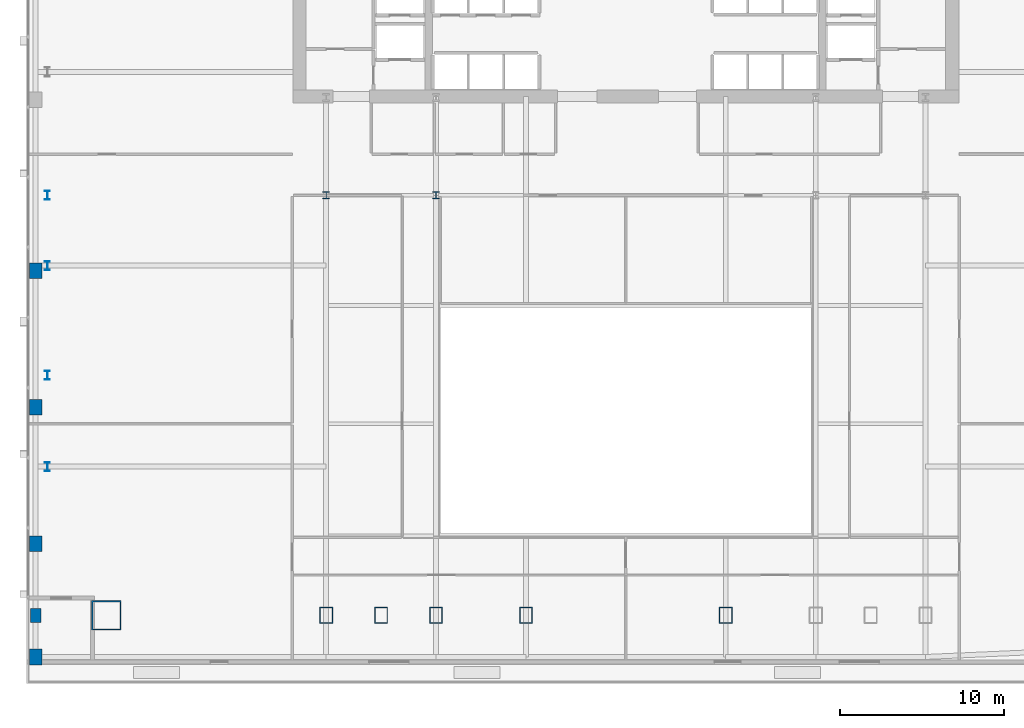
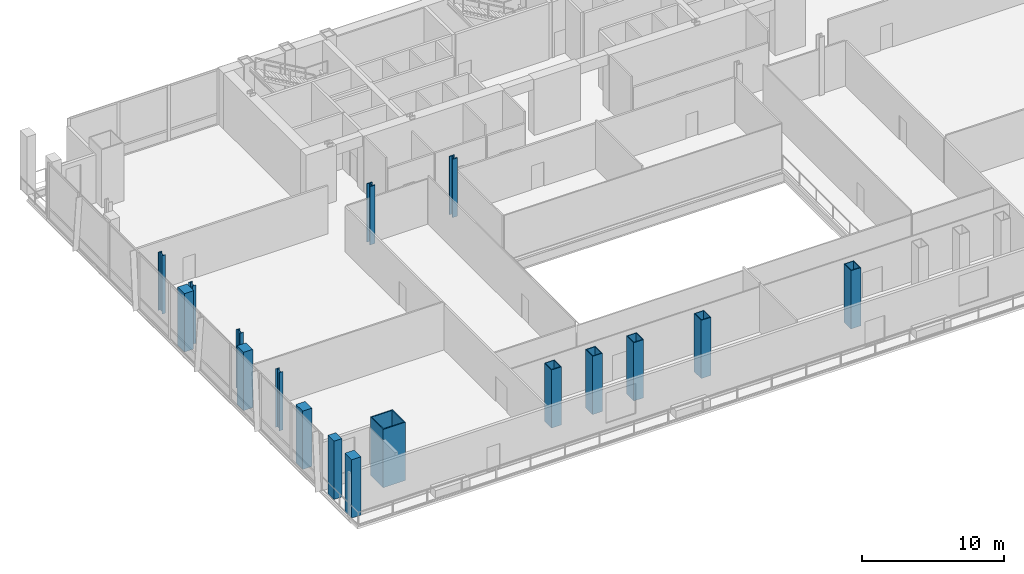
# One storey, part 1 of 25: 17 columns.
"""IFC4 building model written with IfcOpenShell, lengths in metres."""

from ifc_helpers import new_model, si_unit, direction, frame, origin, origin_2d, place, context, subcontext, project, spatial, rectangle, hollow_rectangle, i_section, extrude, material, material_profile, profile_set, type_object, element, save


model = new_model("IFC4")

# Units and contexts
model_context = context("Model", 3, precision=1e-05, world=origin(), true_north=direction((0.0, 1.0)))
body_context = subcontext(model_context, "Body", "Model", "MODEL_VIEW")
ifc_project = project(units=[si_unit("LENGTHUNIT", "METRE"), si_unit("AREAUNIT", "SQUARE_METRE"), si_unit("VOLUMEUNIT", "CUBIC_METRE"), si_unit("PLANEANGLEUNIT", "RADIAN"), si_unit("MASSUNIT", "GRAM", prefix="KILO")], contexts=[model_context])

# Site, building, storey
site_placement = place(None, origin())
site = spatial("IfcSite", under=ifc_project, at=site_placement, CompositionType="ELEMENT")
building_placement = place(site_placement, origin())
building = spatial("IfcBuilding", under=site, at=building_placement, Name="Khoronbel Lancet Exchange", CompositionType="ELEMENT")
storey_placement = place(building_placement, frame((0.0, 0.0, 15.39990234375)))
storey = spatial("IfcBuildingStorey", under=building, at=storey_placement, Name="L03", CompositionType="ELEMENT", Elevation=15.39990234375)

# Columns
ifc_material_1 = material(Name="Steel S460", Category="steel")
ifc_material_profile_1 = material_profile(ifc_material_1, hollow_rectangle(XDim=0.800048828125, YDim=1.0, WallThickness=0.054931640625, at=origin_2d()), Name="BOX 1000x800x55")
ifc_profile_set_1 = profile_set([ifc_material_profile_1], Name="Steel S460")
column_type_1 = type_object("IfcColumnType", Name="COL-EC1", PredefinedType="COLUMN", material=ifc_profile_set_1)
for number, where, z_axis, x_axis, name in (
    (1, (18.22509765625, 10.14990234375, 0.0), (0.0, 0.0, 1.0), (1.0, 0.0, 0.0), "Structural column SC-W1 L03"),
    (2, (21.5625, 10.14990234375, 0.0), (0.0, 0.0, 1.0), (1.0, 0.0, 0.0), "Structural column SC-WM L03"),
    (3, (24.89990234375, 10.14990234375, 0.0), (0.0, 0.0, 1.0), (1.0, 0.0, 0.0), "Structural column SC-W2 L03"),
    (4, (30.375, 10.14990234375, 0.0), (0.0, 0.0, 1.0), (1.0, 0.0, 0.0), "Structural column SC-C1 L03"),
    (5, (42.52490234375, 10.14990234375, 0.0), (0.0, 0.0, 1.0), (1.0, 0.0, 0.0), "Structural column SC-C2 L03"),
):
    element("IfcColumn", number, at=place(storey_placement, frame(where, z_axis=z_axis, x_axis=x_axis)), inside=storey, type_object=column_type_1, Name=name, PredefinedType="COLUMN", context=body_context, shape_type="SweptSolid", body=[
        extrude(hollow_rectangle(XDim=0.800048828125, YDim=1.0, WallThickness=0.054931640625, at=origin_2d()), origin(), (0.0, 0.0, 1.0), 5.0),
    ])
ifc_material_profile_2 = material_profile(ifc_material_1, i_section(OverallWidth=0.424072265625, OverallDepth=0.47412109375, WebThickness=0.047607421875, FlangeThickness=0.076904296875, at=origin_2d()), Name="HD 400x634")
ifc_profile_set_2 = profile_set([ifc_material_profile_2], Name="Steel S460")
column_type_2 = type_object("IfcColumnType", Name="COL-IC1", PredefinedType="COLUMN", material=ifc_profile_set_2)
for number, where, z_axis, x_axis, name in (
    (6, (18.22509765625, 35.699951171875, 0.0), (0.0, 0.0, 1.0), (1.0, 0.0, 0.0), "Spine gravity column TC1 L03"),
    (7, (24.89990234375, 35.699951171875, 0.0), (0.0, 0.0, 1.0), (1.0, 0.0, 0.0), "Spine gravity column TC2 L03"),
):
    element("IfcColumn", number, at=place(storey_placement, frame(where, z_axis=z_axis, x_axis=x_axis)), inside=storey, type_object=column_type_2, Name=name, PredefinedType="COLUMN", context=body_context, shape_type="SweptSolid", body=[
        extrude(i_section(OverallWidth=0.424072265625, OverallDepth=0.47412109375, WebThickness=0.047607421875, FlangeThickness=0.076904296875, at=origin_2d()), origin(), (0.0, 0.0, 1.0), 5.0),
    ])
ifc_material_2 = material(Name="Steel S355", Category="steel")
ifc_material_profile_3 = material_profile(ifc_material_2, i_section(OverallWidth=0.300048828125, OverallDepth=0.550048828125, WebThickness=0.014892578125, FlangeThickness=0.029052734375, at=origin_2d()), Name="HEB 550")
ifc_profile_set_3 = profile_set([ifc_material_profile_3], Name="Steel S355")
column_type_3 = type_object("IfcColumnType", Name="COL-LC1", PredefinedType="COLUMN", material=ifc_profile_set_3)
for number, where, z_axis, x_axis, name in (
    (8, (1.27001953125, 19.199951171875, 0.0), (0.0, 0.0, 1.0), (1.0, 0.0, 0.0), "Structural column WC-1 L03"),
    (9, (1.27001953125, 24.75, 0.0), (0.0, 0.0, 1.0), (1.0, 0.0, 0.0), "Structural column WC-2 L03"),
    (10, (1.27001953125, 31.425048828125, 0.0), (0.0, 0.0, 1.0), (1.0, 0.0, 0.0), "Structural column WC-M L03"),
    (11, (1.27001953125, 35.699951171875, 0.0), (0.0, 0.0, 1.0), (1.0, 0.0, 0.0), "Structural column WC-3 L03"),
):
    element("IfcColumn", number, at=place(storey_placement, frame(where, z_axis=z_axis, x_axis=x_axis)), inside=storey, type_object=column_type_3, Name=name, PredefinedType="COLUMN", context=body_context, shape_type="SweptSolid", body=[
        extrude(i_section(OverallWidth=0.300048828125, OverallDepth=0.550048828125, WebThickness=0.014892578125, FlangeThickness=0.029052734375, at=origin_2d()), origin(), (0.0, 0.0, 1.0), 5.0),
    ])
ifc_material_profile_4 = material_profile(ifc_material_1, hollow_rectangle(XDim=1.800048828125, YDim=1.800048828125, WallThickness=0.080078125, at=origin_2d()), Name="BOX 1800x1800x80")
ifc_profile_set_4 = profile_set([ifc_material_profile_4], Name="Steel S460")
column_type_4 = type_object("IfcColumnType", Name="COL-MC1", PredefinedType="COLUMN", material=ifc_profile_set_4)
column_1_placement = place(storey_placement, frame((4.85009765625, 10.14990234375, 0.0), z_axis=(0.0, 0.0, 1.0), x_axis=(1.0, 0.0, 0.0)))
element("IfcColumn", 12, at=column_1_placement, inside=storey, type_object=column_type_4, Name="Structural column MC-SW L03", PredefinedType="COLUMN", context=body_context, shape_type="SweptSolid", body=[
    extrude(hollow_rectangle(XDim=1.800048828125, YDim=1.800048828125, WallThickness=0.080078125, at=origin_2d()), origin(), (0.0, 0.0, 1.0), 5.0),
])
ifc_material_3 = material(Name="Concrete C60/75", Category="concrete")
ifc_material_profile_5 = material_profile(ifc_material_3, rectangle(XDim=0.75, YDim=0.949951171875, at=origin_2d()), Name="RC 750x950")
ifc_profile_set_5 = profile_set([ifc_material_profile_5], Name="Concrete C60/75")
column_type_5 = type_object("IfcColumnType", Name="COL-PIL2", PredefinedType="PILASTER", material=ifc_profile_set_5)
for number, where, z_axis, x_axis, name in (
    (13, (0.550048828125, 7.6201171875, 0.0), (0.0, 0.0, 1.0), (1.0, 0.0, 0.0), "Podium Gothic colonnade pilaster SWP L03"),
    (14, (0.550048828125, 14.5, 0.0), (0.0, 0.0, 1.0), (1.0, 0.0, 0.0), "Podium Gothic colonnade pilaster W1 L03"),
    (15, (0.550048828125, 22.800048828125, 0.0), (0.0, 0.0, 1.0), (1.0, 0.0, 0.0), "Podium Gothic colonnade pilaster W2 L03"),
    (16, (0.550048828125, 31.10009765625, 0.0), (0.0, 0.0, 1.0), (1.0, 0.0, 0.0), "Podium Gothic colonnade pilaster W3 L03"),
):
    element("IfcColumn", number, at=place(storey_placement, frame(where, z_axis=z_axis, x_axis=x_axis)), inside=storey, type_object=column_type_5, Name=name, PredefinedType="PILASTER", context=body_context, shape_type="SweptSolid", body=[
        extrude(rectangle(XDim=0.75, YDim=0.949951171875, at=origin_2d()), origin(), (0.0, 0.0, 1.0), 5.0),
    ])
ifc_material_profile_6 = material_profile(ifc_material_3, rectangle(XDim=0.64990234375, YDim=0.85009765625, at=origin_2d()), Name="RC 650x850")
ifc_profile_set_6 = profile_set([ifc_material_profile_6], Name="Concrete C60/75")
column_type_6 = type_object("IfcColumnType", Name="COL-PIL3", PredefinedType="PILASTER", material=ifc_profile_set_6)
column_2_placement = place(storey_placement, frame((0.550048828125, 10.14990234375, 0.0), z_axis=(0.0, 0.0, 1.0), x_axis=(1.0, 0.0, 0.0)))
element("IfcColumn", 17, at=column_2_placement, inside=storey, type_object=column_type_6, Name="Podium Gothic colonnade pilaster WMC L03", PredefinedType="PILASTER", context=body_context, shape_type="SweptSolid", body=[
    extrude(rectangle(XDim=0.64990234375, YDim=0.85009765625, at=origin_2d()), origin(), (0.0, 0.0, 1.0), 5.0),
])

save(model, "model.ifc")
